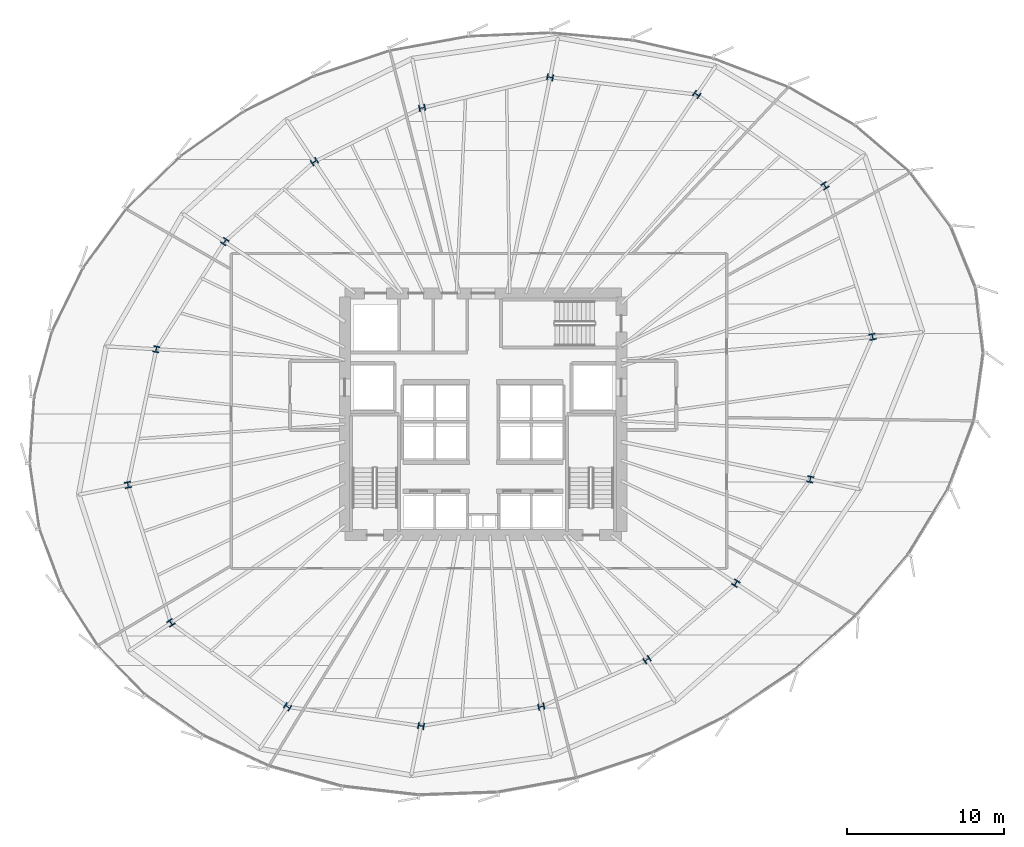
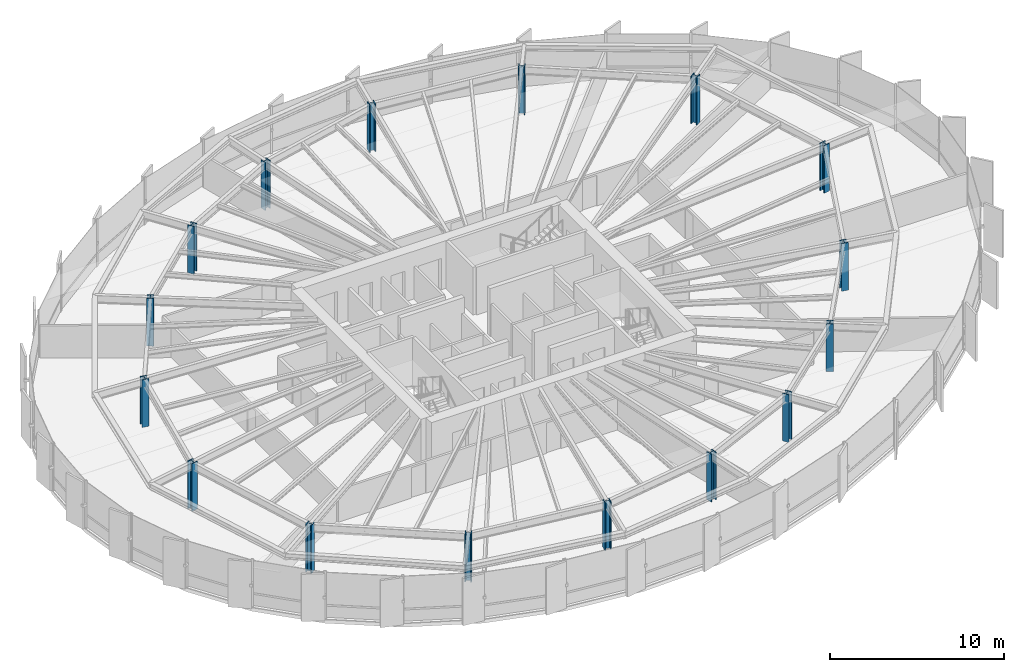
# One storey, part 1 of 35: 16 columns.
"""IFC4 building model written with IfcOpenShell, lengths in metres."""

from ifc_helpers import new_model, si_unit, direction, frame, origin, origin_2d, place, context, subcontext, project, spatial, i_section, extrude, source, transform, mapped, material, material_profile, profile_set, type_object, element, save


model = new_model("IFC4")

# Units and contexts
model_context = context("Model", 3, precision=1e-05, world=origin(), true_north=direction((0.0, 1.0)))
body_context = subcontext(model_context, "Body", "Model", "MODEL_VIEW")
ifc_project = project(units=[si_unit("LENGTHUNIT", "METRE"), si_unit("AREAUNIT", "SQUARE_METRE"), si_unit("VOLUMEUNIT", "CUBIC_METRE"), si_unit("PLANEANGLEUNIT", "RADIAN"), si_unit("MASSUNIT", "GRAM", prefix="KILO"), si_unit("THERMODYNAMICTEMPERATUREUNIT", "KELVIN")], contexts=[model_context])

# Site, building, storey
site_placement = place(None, origin())
site = spatial("IfcSite", under=ifc_project, at=site_placement, CompositionType="ELEMENT")
building_placement = place(site_placement, origin())
building = spatial("IfcBuilding", under=site, at=building_placement, Name="Kethvar Cultural Tower", CompositionType="ELEMENT")
storey_placement = place(building_placement, frame((0.0, 0.0, 92.800048828125)))
storey = spatial("IfcBuildingStorey", under=building, at=storey_placement, Name="L22", CompositionType="ELEMENT", Elevation=92.800048828125)

# Columns
ifc_material = material(Name="Steel S460M", Category="steel")
ifc_material_profile = material_profile(ifc_material, i_section(OverallWidth=0.405029296875, OverallDepth=0.39794921875, WebThickness=0.034912109375, FlangeThickness=0.055908203125, FilletRadius=0.014892578125, at=origin_2d()), Name="Steel S460M — HD400x744")
ifc_profile_set = profile_set([ifc_material_profile], Name="Steel S460M — HD400x744")
column_type = type_object("IfcColumnType", Name="COL-HD744", PredefinedType="COLUMN", material=ifc_profile_set)
shared_shape = source(origin(), body_context, "Body", "SweptSolid", [
    extrude(i_section(OverallWidth=0.405029296875, OverallDepth=0.39794921875, WebThickness=0.034912109375, FlangeThickness=0.055908203125, FilletRadius=0.014892578125, at=origin_2d()), origin(), (0.0, 0.0, 1.0), 3.349853515625),
])
for number, where, z_axis, x_axis, name in (
    (1, (71.6025390625, 32.7333984375, 0.0), (0.0, 0.0, 1.0), (0.980785280403, 0.195090322016, 0.0), "L22 Mega-Column MC-01"),
    (2, (68.568603515625, 42.34521484375, 0.0), (0.0, 0.0, 1.0), (0.831469612303, 0.55557023302, 0.0), "L22 Mega-Column MC-02"),
    (3, (60.40478515625, 48.160888671875, 0.0), (0.0, 0.0, 1.0), (0.55557023302, 0.831469612303, 0.0), "L22 Mega-Column MC-03"),
    (4, (51.068603515625, 49.25927734375, 0.0), (0.0, 0.0, 1.0), (0.195090322016, 0.980785280403, 0.0), "L22 Mega-Column MC-04"),
    (5, (42.9189453125, 47.311279296875, 0.0), (0.0, 0.0, 1.0), (-0.195090322016, 0.980785280403, 0.0), "L22 Mega-Column MC-05"),
    (6, (36.0576171875, 43.877197265625, 0.0), (0.0, 0.0, 1.0), (-0.55557023302, 0.831469612303, 0.0), "L22 Mega-Column MC-06"),
    (7, (30.345947265625, 38.794189453125, 0.0), (0.0, 0.0, 1.0), (-0.831469612303, 0.55557023302, 0.0), "L22 Mega-Column MC-07"),
    (8, (25.988525390625, 31.939697265625, 0.0), (0.0, 0.0, 1.0), (-0.980785280403, 0.195090322016, 0.0), "L22 Mega-Column MC-08"),
    (9, (24.185302734375, 23.3017578125, 0.0), (0.0, 0.0, 1.0), (-0.980785280403, -0.195090322016, 0.0), "L22 Mega-Column MC-09"),
    (10, (26.920654296875, 14.51708984375, 0.0), (0.0, 0.0, 1.0), (-0.831469612303, -0.55557023302, 0.0), "L22 Mega-Column MC-10"),
    (11, (34.350830078125, 9.16845703125, 0.0), (0.0, 0.0, 1.0), (-0.55557023302, -0.831469612303, 0.0), "L22 Mega-Column MC-11"),
    (12, (42.852294921875, 7.95361328125, 0.0), (0.0, 0.0, 1.0), (-0.195090322016, -0.980785280403, 0.0), "L22 Mega-Column MC-12"),
    (13, (50.50341796875, 9.182373046875, 0.0), (0.0, 0.0, 1.0), (0.195090322016, -0.980785280403, 0.0), "L22 Mega-Column MC-13"),
    (14, (57.241943359375, 12.17236328125, 0.0), (0.0, 0.0, 1.0), (0.55557023302, -0.831469612303, 0.0), "L22 Mega-Column MC-14"),
    (15, (62.898681640625, 17.043212890625, 0.0), (0.0, 0.0, 1.0), (0.831469612303, -0.55557023302, 0.0), "L22 Mega-Column MC-15"),
    (16, (67.638671875, 23.65478515625, 0.0), (0.0, 0.0, 1.0), (0.980785280403, -0.195090322016, 0.0), "L22 Mega-Column MC-16"),
):
    element("IfcColumn", number, at=place(storey_placement, frame(where, z_axis=z_axis, x_axis=x_axis)), inside=storey, type_object=column_type, Name=name, PredefinedType="COLUMN", context=body_context, shape_type="MappedRepresentation", body=[
        mapped(shared_shape, transform((0.0, 0.0, 0.0), scale=1.0)),
    ])

save(model, "model.ifc")
